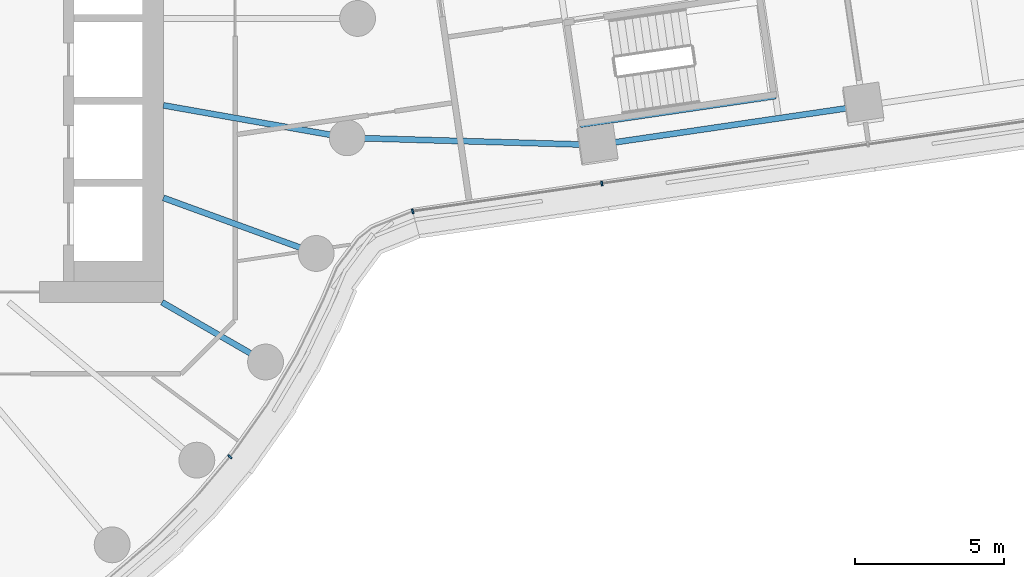
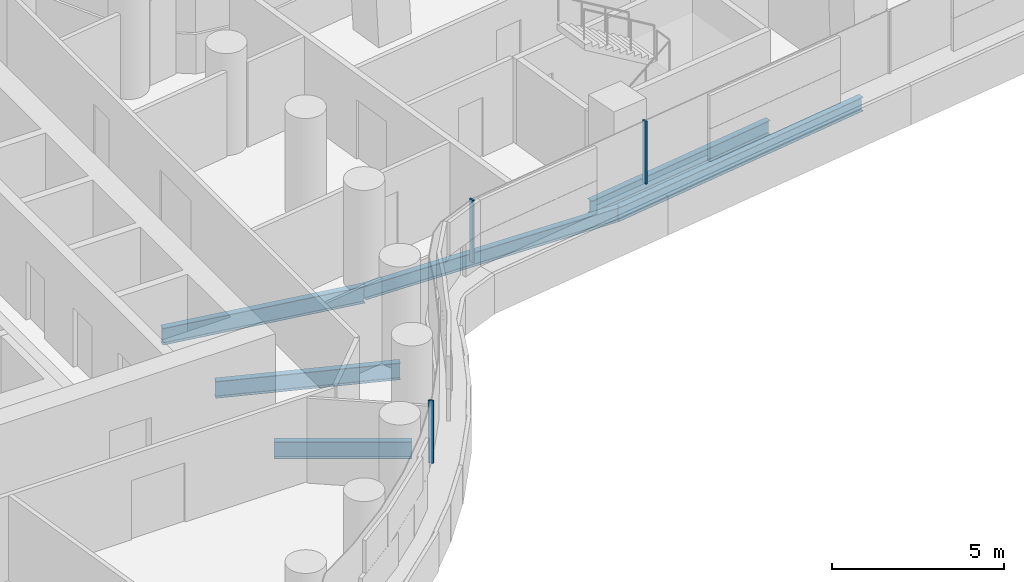
# One storey, part 9 of 31: 6 beams, 3 members, 2 elements without a shape of their own.
"""IFC4 building model written with IfcOpenShell, lengths in metres."""

from ifc_helpers import new_model, si_unit, direction, frame, origin, origin_2d, place, context, subcontext, project, spatial, rectangle, i_section, extrude, material, layer, layer_set, material_profile, profile_set, type_object, element, aggregate, save


model = new_model("IFC4")

# Units and contexts
model_context = context("Model", 3, precision=1e-05, world=origin(), true_north=direction((0.0, 1.0)))
body_context = subcontext(model_context, "Body", "Model", "MODEL_VIEW")
ifc_project = project(units=[si_unit("LENGTHUNIT", "METRE"), si_unit("AREAUNIT", "SQUARE_METRE"), si_unit("VOLUMEUNIT", "CUBIC_METRE"), si_unit("PLANEANGLEUNIT", "RADIAN"), si_unit("MASSUNIT", "GRAM", prefix="KILO")], contexts=[model_context])

# Site, building, storey
site_placement = place(None, origin())
site = spatial("IfcSite", under=ifc_project, at=site_placement, CompositionType="ELEMENT")
building_placement = place(site_placement, origin())
building = spatial("IfcBuilding", under=site, at=building_placement, Name="Tamarind Cross Interchange Tower", CompositionType="ELEMENT")
storey_placement = place(building_placement, frame((0.0, 0.0, 64.0)))
storey = spatial("IfcBuildingStorey", under=building, at=storey_placement, Name="L14", CompositionType="ELEMENT", Elevation=64.0)

# Beams
ifc_material_1 = material(Name="Steel Q355B", Category="steel")
ifc_material_profile_1 = material_profile(ifc_material_1, i_section(OverallWidth=0.198974609375, OverallDepth=0.49609375, WebThickness=0.009033203125, FlangeThickness=0.013916015625, FilletRadius=0.012939453125, at=origin_2d()), Name="HN 496x199x9x14")
ifc_profile_set_1 = profile_set([ifc_material_profile_1], Name="Steel Q355B")
beam_type_1 = type_object("IfcBeamType", Name="Composite beam HN 496x199x9x14 Q355B", PredefinedType="BEAM", material=ifc_profile_set_1)
beam_1_placement = place(storey_placement, frame((39.915771484375, -2.9267578125, -0.387939453125), z_axis=(-0.989377387865, -0.145369819361, 0.0), x_axis=(0.145369819361, -0.989377387865, 0.0)))
element("IfcBeam", 1, at=beam_1_placement, inside=storey, type_object=beam_type_1, Name="Beam E-edgeem6", PredefinedType="BEAM", context=body_context, shape_type="SweptSolid", body=[
    extrude(i_section(OverallWidth=0.198974609375, OverallDepth=0.49609375, WebThickness=0.009033203125, FlangeThickness=0.013916015625, FilletRadius=0.012939453125, at=origin_2d()), origin(), (0.0, 0.0, 1.0), 9.000244140625),
])
beam_2_placement = place(storey_placement, frame((31.01123046875, -4.235107421875, -0.387939453125), z_axis=(-0.99958407164, 0.028838927224, 0.0), x_axis=(-0.028838927224, -0.99958407164, 0.0)))
element("IfcBeam", 2, at=beam_2_placement, inside=storey, type_object=beam_type_1, Name="Beam E-linkem", PredefinedType="BEAM", context=body_context, shape_type="SweptSolid", body=[
    extrude(i_section(OverallWidth=0.198974609375, OverallDepth=0.49609375, WebThickness=0.009033203125, FlangeThickness=0.013916015625, FilletRadius=0.012939453125, at=origin_2d()), origin(), (0.0, 0.0, 1.0), 8.364013671875),
])
beam_3_placement = place(storey_placement, frame((30.45703125, -3.558349609375, -0.387939453125), z_axis=(0.98938245698, 0.145335315118, 0.0), x_axis=(-0.145335315118, 0.98938245698, 0.0)))
element("IfcBeam", 3, at=beam_3_placement, inside=storey, type_object=beam_type_1, Name="Beam E-tr0", PredefinedType="BEAM", context=body_context, shape_type="SweptSolid", body=[
    extrude(i_section(OverallWidth=0.198974609375, OverallDepth=0.49609375, WebThickness=0.009033203125, FlangeThickness=0.013916015625, FilletRadius=0.012939453125, at=origin_2d()), origin(), (0.0, 0.0, 1.0), 6.60009765625),
])
ifc_material_profile_2 = material_profile(ifc_material_1, i_section(OverallWidth=0.198974609375, OverallDepth=0.595947265625, WebThickness=0.010009765625, FlangeThickness=0.014892578125, FilletRadius=0.012939453125, at=origin_2d()), Name="HN 596x199x10x15")
ifc_profile_set_2 = profile_set([ifc_material_profile_2], Name="Steel Q355B")
beam_type_2 = type_object("IfcBeamType", Name="Composite beam HN 596x199x10x15 Q355B", PredefinedType="BEAM", material=ifc_profile_set_2)
beam_4_placement = place(storey_placement, frame((19.918701171875, -11.5, -0.43798828125), z_axis=(-0.866026010844, 0.49999894854, 0.0), x_axis=(-0.49999894854, -0.866026010844, 0.0)))
element("IfcBeam", 4, at=beam_4_placement, inside=storey, type_object=beam_type_2, Name="Beam HH33", PredefinedType="BEAM", context=body_context, shape_type="SweptSolid", body=[
    extrude(i_section(OverallWidth=0.198974609375, OverallDepth=0.595947265625, WebThickness=0.010009765625, FlangeThickness=0.014892578125, FilletRadius=0.012939453125, at=origin_2d()), origin(), (0.0, 0.0, 1.0), 4.0),
])
beam_5_placement = place(storey_placement, frame((21.613037109375, -7.866455078125, -0.43798828125), z_axis=(-0.939701685589, 0.341995236956, 0.0), x_axis=(-0.341995236956, -0.939701685589, 0.0)))
element("IfcBeam", 5, at=beam_5_placement, inside=storey, type_object=beam_type_2, Name="Beam HH34", PredefinedType="BEAM", context=body_context, shape_type="SweptSolid", body=[
    extrude(i_section(OverallWidth=0.198974609375, OverallDepth=0.595947265625, WebThickness=0.010009765625, FlangeThickness=0.014892578125, FilletRadius=0.012939453125, at=origin_2d()), origin(), (0.0, 0.0, 1.0), 5.441162109375),
])
beam_6_placement = place(storey_placement, frame((22.650634765625, -3.993896484375, -0.43798828125), z_axis=(-0.984809127561, 0.173640382036, 0.0), x_axis=(-0.173640382036, -0.984809127561, 0.0)))
element("IfcBeam", 6, at=beam_6_placement, inside=storey, type_object=beam_type_2, Name="Beam HH35", PredefinedType="BEAM", context=body_context, shape_type="SweptSolid", body=[
    extrude(i_section(OverallWidth=0.198974609375, OverallDepth=0.595947265625, WebThickness=0.010009765625, FlangeThickness=0.014892578125, FilletRadius=0.012939453125, at=origin_2d()), origin(), (0.0, 0.0, 1.0), 6.24560546875),
])

# Curtain wall, member
ifc_material_2 = material(Name="Aluminium 6063-T6", Category="aluminium")
ifc_layer = layer(ifc_material_2, 0.159912109375)
ifc_layer_set = layer_set([ifc_layer], Name="Aluminium 6063-T6")
curtain_wall_type = type_object("IfcCurtainWallType", Name="Office curtain wall, 9.0 m bays", PredefinedType="NOTDEFINED", material=ifc_layer_set)
curtain_wall_1_placement = place(storey_placement, origin())
curtain_wall_1 = element("IfcCurtainWall", 7, at=curtain_wall_1_placement, inside=storey, type_object=curtain_wall_type, Name="CWS-L14-06", PredefinedType="NOTDEFINED")
ifc_material_profile_3 = material_profile(ifc_material_2, rectangle(XDim=0.06005859375, YDim=0.159912109375, at=origin_2d()), Name="Mullion CW1")
ifc_profile_set_3 = profile_set([ifc_material_profile_3], Name="Aluminium 6063-T6")
member_type = type_object("IfcMemberType", Name="Mullion CW1", PredefinedType="MULLION", material=ifc_profile_set_3)
member_1_placement = place(storey_placement, frame((18.727294921875, -14.670166015625, 1.39990234375), z_axis=(0.0, 0.0, 1.0), x_axis=(0.643009266048, 0.765858396687, 0.0)))
member_1 = element("IfcMember", 8, at=member_1_placement, type_object=member_type, Name="CWM-L14-06-02", PredefinedType="MULLION", context=body_context, shape_type="SweptSolid", body=[
    extrude(rectangle(XDim=0.06005859375, YDim=0.159912109375, at=origin_2d()), origin(), (0.0, 0.0, 1.0), 2.210205078125),
])
aggregate(curtain_wall_1, [member_1])

# Curtain wall, members
curtain_wall_2_placement = place(storey_placement, origin())
curtain_wall_2 = element("IfcCurtainWall", 9, at=curtain_wall_2_placement, inside=storey, type_object=curtain_wall_type, Name="CWS-L14-07", PredefinedType="NOTDEFINED")
member_2_placement = place(storey_placement, frame((24.841796875, -6.45556640625, 1.39990234375), z_axis=(0.0, 0.0, 1.0), x_axis=(0.964974463164, 0.262343830575, 0.0)))
member_2 = element("IfcMember", 10, at=member_2_placement, type_object=member_type, Name="CWM-L14-07-00", PredefinedType="MULLION", context=body_context, shape_type="SweptSolid", body=[
    extrude(rectangle(XDim=0.06005859375, YDim=0.159912109375, at=origin_2d()), origin(), (0.0, 0.0, 1.0), 2.210205078125),
])
member_3_placement = place(storey_placement, frame((31.176025390625, -5.52490234375, 1.39990234375), z_axis=(0.0, 0.0, 1.0), x_axis=(0.989378136803, 0.14536472205, 0.0)))
member_3 = element("IfcMember", 11, at=member_3_placement, type_object=member_type, Name="CWM-L14-07-01", PredefinedType="MULLION", context=body_context, shape_type="SweptSolid", body=[
    extrude(rectangle(XDim=0.06005859375, YDim=0.159912109375, at=origin_2d()), origin(), (0.0, 0.0, 1.0), 2.210205078125),
])
aggregate(curtain_wall_2, [member_2, member_3])

save(model, "model.ifc")
